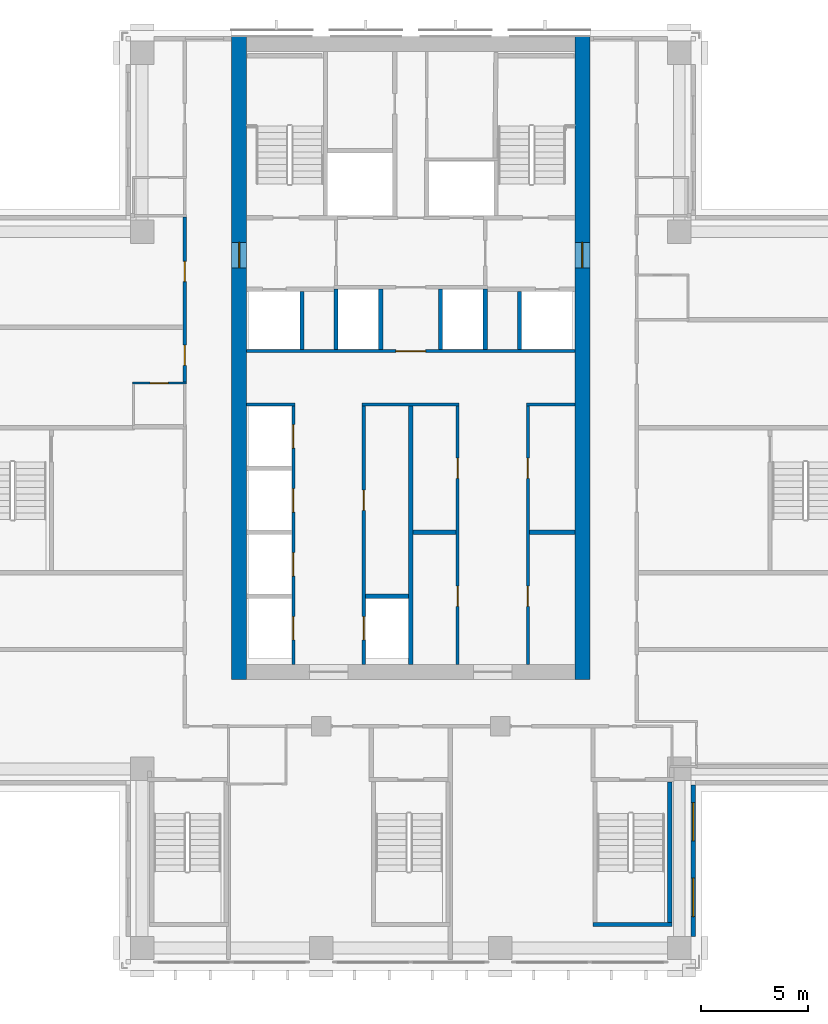
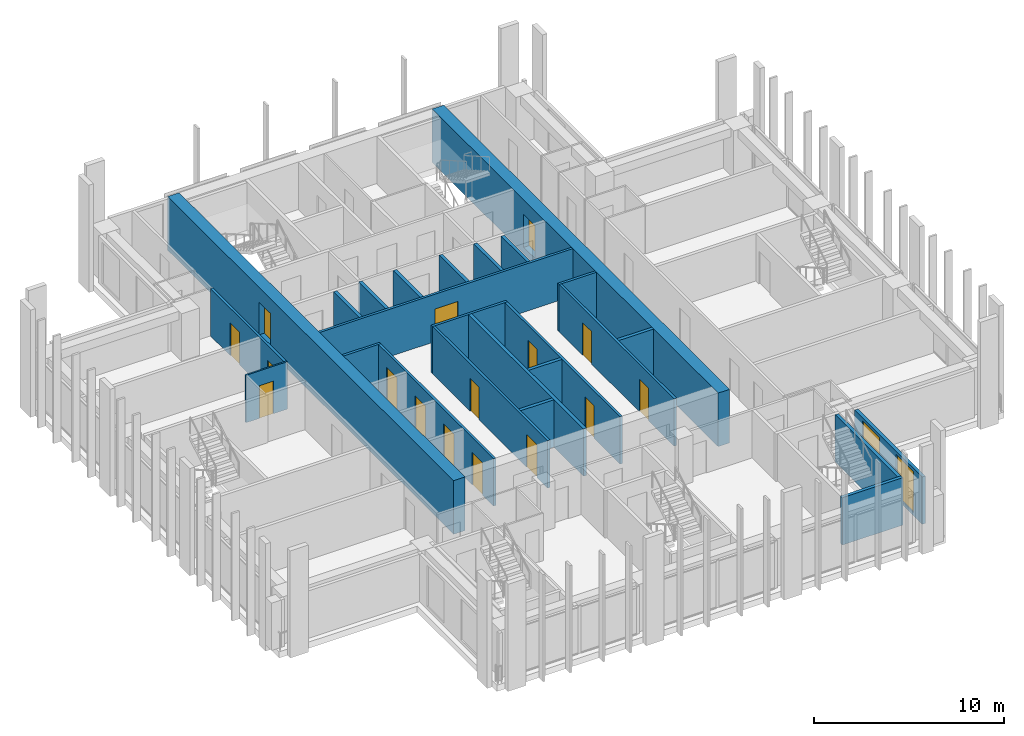
# One storey, part 10 of 16: 25 walls, 16 doors, 2 windows, 18 openings.
"""IFC4 building model written with IfcOpenShell, lengths in metres."""

from ifc_helpers import new_model, si_unit, direction, frame, frame_2d, origin, place, context, subcontext, project, spatial, rectangle, extrude, material, layer, layer_set, type_object, element, fill, save


model = new_model("IFC4")

# Units and contexts
model_context = context("Model", 3, precision=1e-05, world=origin(), true_north=direction((0.0, 1.0)))
body_context = subcontext(model_context, "Body", "Model", "MODEL_VIEW")
ifc_project = project(units=[si_unit("LENGTHUNIT", "METRE"), si_unit("AREAUNIT", "SQUARE_METRE"), si_unit("VOLUMEUNIT", "CUBIC_METRE"), si_unit("PLANEANGLEUNIT", "RADIAN"), si_unit("MASSUNIT", "GRAM", prefix="KILO")], contexts=[model_context])

# Site, building, storey
site_placement = place(None, origin())
site = spatial("IfcSite", under=ifc_project, at=site_placement, CompositionType="ELEMENT")
building_placement = place(site_placement, origin())
building = spatial("IfcBuilding", under=site, at=building_placement, Name="Vermilion Ogive Tower", CompositionType="ELEMENT")
storey_placement = place(building_placement, frame((0.0, 0.0, 143.449951171875)))
storey = spatial("IfcBuildingStorey", under=building, at=storey_placement, Name="L36", CompositionType="ELEMENT", Elevation=143.449951171875)

# Wall, opening, door
ifc_material_1 = material(Name="Gypsum board partition on steel studs", Category="steel")
ifc_layer_1 = layer(ifc_material_1, 0.10009765625)
ifc_layer_set_1 = layer_set([ifc_layer_1], Name="Partition 100 bath")
wall_type_1 = type_object("IfcWallType", Name="Partition 100 bath", PredefinedType="PARTITIONING", material=ifc_layer_set_1)
wall_1_placement = place(storey_placement, frame((-13.048095703125, 5.5, 0.0), z_axis=(0.0, 0.0, 1.0), x_axis=(1.0, 0.0, 0.0)))
wall_1 = element("IfcWall", 1, at=wall_1_placement, inside=storey, type_object=wall_type_1, Name="L36-W-W022", PredefinedType="PARTITIONING", context=body_context, shape_type="SweptSolid", body=[
    extrude(rectangle(XDim=2.523193359375, YDim=0.10009765625, at=frame_2d((1.26171875, 0.0))), origin(), (0.0, 0.0, 1.0), 3.050048828125),
])
opening_1_placement = place(wall_1_placement, frame((0.822998046875, 0.0, 0.0)))
opening_1 = element("IfcOpeningElement", 2, at=opening_1_placement, cuts=wall_1, Name="Opening D3G2003", PredefinedType="OPENING", context=body_context, shape_type="SweptSolid", body=[
    extrude(rectangle(XDim=0.85009765625, YDim=2.10009765625, at=frame_2d((0.425048828125, 1.050048828125))), frame((0.0, 0.06005859375, 0.0), z_axis=(0.0, -1.0, 0.0), x_axis=(1.0, 0.0, 0.0)), (0.0, 0.0, 1.0), 0.1201171875),
])
ifc_material_2 = material(Name="Timber door leaf", Category="wood")
door_type_1 = type_object("IfcDoorType", Name="Bath door 850 x 2100 FD30", OperationType="SINGLE_SWING_LEFT", PredefinedType="DOOR", material=ifc_material_2)
door_1_placement = place(opening_1_placement, origin())
door_1 = element("IfcDoor", 3, at=door_1_placement, inside=storey, type_object=door_type_1, Name="L36-D-D003", OperationType="SINGLE_SWING_RIGHT", OverallHeight=2.10009765625, OverallWidth=0.85009765625, PredefinedType="DOOR", context=body_context, shape_type="SweptSolid", body=[
    extrude(rectangle(XDim=0.85009765625, YDim=2.10009765625, at=frame_2d((0.425048828125, 1.050048828125))), frame((0.0, 0.02490234375, 0.0), z_axis=(0.0, -1.0, 0.0), x_axis=(1.0, 0.0, 0.0)), (0.0, 0.0, 1.0), 0.050048828125),
])
fill(opening_1, door_1)

# Wall, openings, doors
ifc_material_3 = material(Name="Gypsum board partition on steel studs", Category="steel")
ifc_layer_2 = layer(ifc_material_3, 0.14990234375)
ifc_layer_set_2 = layer_set([ifc_layer_2], Name="Partition 150 corridor")
wall_type_2 = type_object("IfcWallType", Name="Partition 150 corridor", PredefinedType="PARTITIONING", material=ifc_layer_set_2)
wall_2_placement = place(storey_placement, frame((-10.60009765625, 5.550048828125, 0.0), z_axis=(0.0, 0.0, 1.0), x_axis=(0.0, 1.0, 0.0)))
wall_2 = element("IfcWall", 4, at=wall_2_placement, inside=storey, type_object=wall_type_2, Name="L36-W-W041", PredefinedType="PARTITIONING", context=body_context, shape_type="SweptSolid", body=[
    extrude(rectangle(XDim=7.75, YDim=0.14990234375, at=frame_2d((3.875, 0.0))), origin(), (0.0, 0.0, 1.0), 3.050048828125),
])
opening_2_placement = place(wall_2_placement, frame((0.784912109375, 0.0, 0.0)))
opening_2 = element("IfcOpeningElement", 5, at=opening_2_placement, cuts=wall_2, Name="Opening D3G2002", PredefinedType="OPENING", context=body_context, shape_type="SweptSolid", body=[
    extrude(rectangle(XDim=0.949951171875, YDim=2.10009765625, at=frame_2d((0.47509765625, 1.050048828125))), frame((0.0, 0.0849609375, 0.0), z_axis=(0.0, -1.0, 0.0), x_axis=(1.0, 0.0, 0.0)), (0.0, 0.0, 1.0), 0.169921875),
])
opening_3_placement = place(wall_2_placement, frame((4.7099609375, 0.0, 0.0)))
opening_3 = element("IfcOpeningElement", 6, at=opening_3_placement, cuts=wall_2, Name="Opening D3G2004", PredefinedType="OPENING", context=body_context, shape_type="SweptSolid", body=[
    extrude(rectangle(XDim=0.949951171875, YDim=2.10009765625, at=frame_2d((0.47509765625, 1.050048828125))), frame((0.0, 0.0849609375, 0.0), z_axis=(0.0, -1.0, 0.0), x_axis=(1.0, 0.0, 0.0)), (0.0, 0.0, 1.0), 0.169921875),
])
ifc_material_4 = material(Name="Timber door leaf", Category="wood")
door_type_2 = type_object("IfcDoorType", Name="Unit door 950 x 2100 FD30S", OperationType="SINGLE_SWING_LEFT", PredefinedType="DOOR", material=ifc_material_4)
door_2_placement = place(opening_2_placement, origin())
door_2 = element("IfcDoor", 7, at=door_2_placement, inside=storey, type_object=door_type_2, Name="L36-D-D002", OperationType="SINGLE_SWING_LEFT", OverallHeight=2.10009765625, OverallWidth=0.949951171875, PredefinedType="DOOR", context=body_context, shape_type="SweptSolid", body=[
    extrude(rectangle(XDim=0.949951171875, YDim=2.10009765625, at=frame_2d((0.47509765625, 1.050048828125))), frame((0.0, 0.02490234375, 0.0), z_axis=(0.0, -1.0, 0.0), x_axis=(1.0, 0.0, 0.0)), (0.0, 0.0, 1.0), 0.050048828125),
])
fill(opening_2, door_2)
door_3_placement = place(opening_3_placement, origin())
door_3 = element("IfcDoor", 8, at=door_3_placement, inside=storey, type_object=door_type_2, Name="L36-D-D004", OperationType="SINGLE_SWING_RIGHT", OverallHeight=2.10009765625, OverallWidth=0.949951171875, PredefinedType="DOOR", context=body_context, shape_type="SweptSolid", body=[
    extrude(rectangle(XDim=0.949951171875, YDim=2.10009765625, at=frame_2d((0.47509765625, 1.050048828125))), frame((0.0, 0.02490234375, 0.0), z_axis=(0.0, -1.0, 0.0), x_axis=(1.0, 0.0, 0.0)), (0.0, 0.0, 1.0), 0.050048828125),
])
fill(opening_3, door_3)

# Walls
wall_3_placement = place(storey_placement, frame((-7.698974609375, 4.5, 0.0), z_axis=(0.0, 0.0, 1.0), x_axis=(1.0, 0.0, 0.0)))
element("IfcWall", 9, at=wall_3_placement, inside=storey, type_object=wall_type_2, Name="L36-CK-W-W007", PredefinedType="PARTITIONING", context=body_context, shape_type="SweptSolid", body=[
    extrude(rectangle(XDim=2.27392578125, YDim=0.14990234375, at=frame_2d((1.136962890625, 0.0))), origin(), (0.0, 0.0, 1.0), 3.050048828125),
])
wall_4_placement = place(storey_placement, frame((-2.27490234375, 4.5, 0.0), z_axis=(0.0, 0.0, 1.0), x_axis=(1.0, 0.0, 0.0)))
element("IfcWall", 10, at=wall_4_placement, inside=storey, type_object=wall_type_2, Name="L36-CK-W-W008", PredefinedType="PARTITIONING", context=body_context, shape_type="SweptSolid", body=[
    extrude(rectangle(XDim=4.5498046875, YDim=0.14990234375, at=frame_2d((2.27490234375, 0.0))), origin(), (0.0, 0.0, 1.0), 3.050048828125),
])
wall_5_placement = place(storey_placement, frame((5.425048828125, 4.5, 0.0), z_axis=(0.0, 0.0, 1.0), x_axis=(1.0, 0.0, 0.0)))
element("IfcWall", 11, at=wall_5_placement, inside=storey, type_object=wall_type_2, Name="L36-CK-W-W009", PredefinedType="PARTITIONING", context=body_context, shape_type="SweptSolid", body=[
    extrude(rectangle(XDim=2.27392578125, YDim=0.14990234375, at=frame_2d((1.136962890625, 0.0))), origin(), (0.0, 0.0, 1.0), 3.050048828125),
])

# Wall, opening, door
wall_6_placement = place(storey_placement, frame((-7.698974609375, 7.0, 0.0), z_axis=(0.0, 0.0, 1.0), x_axis=(1.0, 0.0, 0.0)))
wall_6 = element("IfcWall", 12, at=wall_6_placement, inside=storey, type_object=wall_type_2, Name="L36-CK-W-W010", PredefinedType="PARTITIONING", context=body_context, shape_type="SweptSolid", body=[
    extrude(rectangle(XDim=15.39794921875, YDim=0.14990234375, at=frame_2d((7.698974609375, 0.0))), origin(), (0.0, 0.0, 1.0), 3.050048828125),
])
opening_4_placement = place(wall_6_placement, frame((6.9990234375, 0.0, 0.0)))
opening_4 = element("IfcOpeningElement", 13, at=opening_4_placement, cuts=wall_6, Name="Opening DAA302", PredefinedType="OPENING", context=body_context, shape_type="SweptSolid", body=[
    extrude(rectangle(XDim=1.39990234375, YDim=2.10009765625, at=frame_2d((0.699951171875, 1.050048828125))), frame((0.0, 0.0849609375, 0.0), z_axis=(0.0, -1.0, 0.0), x_axis=(1.0, 0.0, 0.0)), (0.0, 0.0, 1.0), 0.169921875),
])
ifc_material_5 = material(Name="Timber door leaf", Category="wood")
door_type_3 = type_object("IfcDoorType", Name="Lobby door 1400 x 2100 FD60S", OperationType="SINGLE_SWING_LEFT", PredefinedType="DOOR", material=ifc_material_5)
door_4_placement = place(opening_4_placement, origin())
door_4 = element("IfcDoor", 14, at=door_4_placement, inside=storey, type_object=door_type_3, Name="L36-CK-D-D015", OperationType="SINGLE_SWING_RIGHT", OverallHeight=2.10009765625, OverallWidth=1.39990234375, PredefinedType="DOOR", context=body_context, shape_type="SweptSolid", body=[
    extrude(rectangle(XDim=1.39990234375, YDim=2.10009765625, at=frame_2d((0.699951171875, 1.050048828125))), frame((0.0, 0.02490234375, 0.0), z_axis=(0.0, -1.0, 0.0), x_axis=(1.0, 0.0, 0.0)), (0.0, 0.0, 1.0), 0.050048828125),
])
fill(opening_4, door_4)

# Wall, openings, doors
wall_7_placement = place(storey_placement, frame((-5.5, -7.698974609375, 0.0), z_axis=(0.0, 0.0, 1.0), x_axis=(0.0, 1.0, 0.0)))
wall_7 = element("IfcWall", 15, at=wall_7_placement, inside=storey, type_object=wall_type_2, Name="L36-CK-W-W019", PredefinedType="PARTITIONING", context=body_context, shape_type="SweptSolid", body=[
    extrude(rectangle(XDim=12.1240234375, YDim=0.14990234375, at=frame_2d((6.06201171875, 0.0))), origin(), (0.0, 0.0, 1.0), 3.050048828125),
])
opening_5_placement = place(wall_7_placement, frame((1.14892578125, 0.0, 0.0)))
opening_5 = element("IfcOpeningElement", 16, at=opening_5_placement, cuts=wall_7, Name="Opening DAA314", PredefinedType="OPENING", context=body_context, shape_type="SweptSolid", body=[
    extrude(rectangle(XDim=1.10009765625, YDim=2.10009765625, at=frame_2d((0.550048828125, 1.050048828125))), frame((0.0, 0.0849609375, 0.0), z_axis=(0.0, -1.0, 0.0), x_axis=(1.0, 0.0, 0.0)), (0.0, 0.0, 1.0), 0.169921875),
])
opening_6_placement = place(wall_7_placement, frame((4.14892578125, 0.0, 0.0)))
opening_6 = element("IfcOpeningElement", 17, at=opening_6_placement, cuts=wall_7, Name="Opening DAA315", PredefinedType="OPENING", context=body_context, shape_type="SweptSolid", body=[
    extrude(rectangle(XDim=1.10009765625, YDim=2.10009765625, at=frame_2d((0.550048828125, 1.050048828125))), frame((0.0, 0.0849609375, 0.0), z_axis=(0.0, -1.0, 0.0), x_axis=(1.0, 0.0, 0.0)), (0.0, 0.0, 1.0), 0.169921875),
])
opening_7_placement = place(wall_7_placement, frame((7.14892578125, 0.0, 0.0)))
opening_7 = element("IfcOpeningElement", 18, at=opening_7_placement, cuts=wall_7, Name="Opening DAA316", PredefinedType="OPENING", context=body_context, shape_type="SweptSolid", body=[
    extrude(rectangle(XDim=1.10009765625, YDim=2.10009765625, at=frame_2d((0.550048828125, 1.050048828125))), frame((0.0, 0.0849609375, 0.0), z_axis=(0.0, -1.0, 0.0), x_axis=(1.0, 0.0, 0.0)), (0.0, 0.0, 1.0), 0.169921875),
])
opening_8_placement = place(wall_7_placement, frame((10.14892578125, 0.0, 0.0)))
opening_8 = element("IfcOpeningElement", 19, at=opening_8_placement, cuts=wall_7, Name="Opening DAA317", PredefinedType="OPENING", context=body_context, shape_type="SweptSolid", body=[
    extrude(rectangle(XDim=1.10009765625, YDim=2.10009765625, at=frame_2d((0.550048828125, 1.050048828125))), frame((0.0, 0.0849609375, 0.0), z_axis=(0.0, -1.0, 0.0), x_axis=(1.0, 0.0, 0.0)), (0.0, 0.0, 1.0), 0.169921875),
])
ifc_material_6 = material(Name="Stainless steel", Category="steel")
door_type_4 = type_object("IfcDoorType", Name="Lift landing door 1100 x 2100", OperationType="SLIDING_TO_LEFT", PredefinedType="DOOR", material=ifc_material_6)
door_5_placement = place(opening_5_placement, origin())
door_5 = element("IfcDoor", 20, at=door_5_placement, inside=storey, type_object=door_type_4, Name="L36-CK-D-D001", OperationType="SLIDING_TO_LEFT", OverallHeight=2.10009765625, OverallWidth=1.10009765625, PredefinedType="DOOR", context=body_context, shape_type="SweptSolid", body=[
    extrude(rectangle(XDim=1.10009765625, YDim=2.10009765625, at=frame_2d((0.550048828125, 1.050048828125))), frame((0.0, 0.02490234375, 0.0), z_axis=(0.0, -1.0, 0.0), x_axis=(1.0, 0.0, 0.0)), (0.0, 0.0, 1.0), 0.050048828125),
])
fill(opening_5, door_5)
door_6_placement = place(opening_6_placement, origin())
door_6 = element("IfcDoor", 21, at=door_6_placement, inside=storey, type_object=door_type_4, Name="L36-CK-D-D002", OperationType="SLIDING_TO_LEFT", OverallHeight=2.10009765625, OverallWidth=1.10009765625, PredefinedType="DOOR", context=body_context, shape_type="SweptSolid", body=[
    extrude(rectangle(XDim=1.10009765625, YDim=2.10009765625, at=frame_2d((0.550048828125, 1.050048828125))), frame((0.0, 0.02490234375, 0.0), z_axis=(0.0, -1.0, 0.0), x_axis=(1.0, 0.0, 0.0)), (0.0, 0.0, 1.0), 0.050048828125),
])
fill(opening_6, door_6)
door_7_placement = place(opening_7_placement, origin())
door_7 = element("IfcDoor", 22, at=door_7_placement, inside=storey, type_object=door_type_4, Name="L36-CK-D-D003", OperationType="SLIDING_TO_LEFT", OverallHeight=2.10009765625, OverallWidth=1.10009765625, PredefinedType="DOOR", context=body_context, shape_type="SweptSolid", body=[
    extrude(rectangle(XDim=1.10009765625, YDim=2.10009765625, at=frame_2d((0.550048828125, 1.050048828125))), frame((0.0, 0.02490234375, 0.0), z_axis=(0.0, -1.0, 0.0), x_axis=(1.0, 0.0, 0.0)), (0.0, 0.0, 1.0), 0.050048828125),
])
fill(opening_7, door_7)
door_8_placement = place(opening_8_placement, origin())
door_8 = element("IfcDoor", 23, at=door_8_placement, inside=storey, type_object=door_type_4, Name="L36-CK-D-D004", OperationType="SLIDING_TO_LEFT", OverallHeight=2.10009765625, OverallWidth=1.10009765625, PredefinedType="DOOR", context=body_context, shape_type="SweptSolid", body=[
    extrude(rectangle(XDim=1.10009765625, YDim=2.10009765625, at=frame_2d((0.550048828125, 1.050048828125))), frame((0.0, 0.02490234375, 0.0), z_axis=(0.0, -1.0, 0.0), x_axis=(1.0, 0.0, 0.0)), (0.0, 0.0, 1.0), 0.050048828125),
])
fill(opening_8, door_8)

wall_8_placement = place(storey_placement, frame((-2.199951171875, -7.698974609375, 0.0), z_axis=(0.0, 0.0, 1.0), x_axis=(0.0, 1.0, 0.0)))
wall_8 = element("IfcWall", 24, at=wall_8_placement, inside=storey, type_object=wall_type_2, Name="L36-CK-W-W024", PredefinedType="PARTITIONING", context=body_context, shape_type="SweptSolid", body=[
    extrude(rectangle(XDim=12.1240234375, YDim=0.14990234375, at=frame_2d((6.06201171875, 0.0))), origin(), (0.0, 0.0, 1.0), 3.050048828125),
])
opening_9_placement = place(wall_8_placement, frame((1.14892578125, 0.0, 0.0)))
opening_9 = element("IfcOpeningElement", 25, at=opening_9_placement, cuts=wall_8, Name="Opening DAA318", PredefinedType="OPENING", context=body_context, shape_type="SweptSolid", body=[
    extrude(rectangle(XDim=1.10009765625, YDim=2.10009765625, at=frame_2d((0.550048828125, 1.050048828125))), frame((0.0, 0.0849609375, 0.0), z_axis=(0.0, -1.0, 0.0), x_axis=(1.0, 0.0, 0.0)), (0.0, 0.0, 1.0), 0.169921875),
])
opening_10_placement = place(wall_8_placement, frame((7.223876953125, 0.0, 0.0)))
opening_10 = element("IfcOpeningElement", 26, at=opening_10_placement, cuts=wall_8, Name="Opening DAA305", PredefinedType="OPENING", context=body_context, shape_type="SweptSolid", body=[
    extrude(rectangle(XDim=0.949951171875, YDim=2.10009765625, at=frame_2d((0.47509765625, 1.050048828125))), frame((0.0, 0.0849609375, 0.0), z_axis=(0.0, -1.0, 0.0), x_axis=(1.0, 0.0, 0.0)), (0.0, 0.0, 1.0), 0.169921875),
])
door_9_placement = place(opening_9_placement, origin())
door_9 = element("IfcDoor", 27, at=door_9_placement, inside=storey, type_object=door_type_4, Name="L36-CK-D-D005", OperationType="SLIDING_TO_LEFT", OverallHeight=2.10009765625, OverallWidth=1.10009765625, PredefinedType="DOOR", context=body_context, shape_type="SweptSolid", body=[
    extrude(rectangle(XDim=1.10009765625, YDim=2.10009765625, at=frame_2d((0.550048828125, 1.050048828125))), frame((0.0, 0.02490234375, 0.0), z_axis=(0.0, -1.0, 0.0), x_axis=(1.0, 0.0, 0.0)), (0.0, 0.0, 1.0), 0.050048828125),
])
fill(opening_9, door_9)
ifc_material_7 = material(Name="Timber door leaf", Category="wood")
door_type_5 = type_object("IfcDoorType", Name="Service door 950 x 2100 FD60", OperationType="SINGLE_SWING_LEFT", PredefinedType="DOOR", material=ifc_material_7)
door_10_placement = place(opening_10_placement, origin())
door_10 = element("IfcDoor", 28, at=door_10_placement, inside=storey, type_object=door_type_5, Name="L36-CK-D-D006", OperationType="SINGLE_SWING_RIGHT", OverallHeight=2.10009765625, OverallWidth=0.949951171875, PredefinedType="DOOR", context=body_context, shape_type="SweptSolid", body=[
    extrude(rectangle(XDim=0.949951171875, YDim=2.10009765625, at=frame_2d((0.47509765625, 1.050048828125))), frame((0.0, 0.02490234375, 0.0), z_axis=(0.0, -1.0, 0.0), x_axis=(1.0, 0.0, 0.0)), (0.0, 0.0, 1.0), 0.050048828125),
])
fill(opening_10, door_10)

wall_9_placement = place(storey_placement, frame((2.199951171875, -7.698974609375, 0.0), z_axis=(0.0, 0.0, 1.0), x_axis=(0.0, 1.0, 0.0)))
wall_9 = element("IfcWall", 29, at=wall_9_placement, inside=storey, type_object=wall_type_2, Name="L36-CK-W-W031", PredefinedType="PARTITIONING", context=body_context, shape_type="SweptSolid", body=[
    extrude(rectangle(XDim=12.1240234375, YDim=0.14990234375, at=frame_2d((6.06201171875, 0.0))), origin(), (0.0, 0.0, 1.0), 3.050048828125),
])
opening_11_placement = place(wall_9_placement, frame((2.723876953125, 0.0, 0.0)))
opening_11 = element("IfcOpeningElement", 30, at=opening_11_placement, cuts=wall_9, Name="Opening DAA306", PredefinedType="OPENING", context=body_context, shape_type="SweptSolid", body=[
    extrude(rectangle(XDim=0.949951171875, YDim=2.10009765625, at=frame_2d((0.47509765625, 1.050048828125))), frame((0.0, 0.0849609375, 0.0), z_axis=(0.0, -1.0, 0.0), x_axis=(1.0, 0.0, 0.0)), (0.0, 0.0, 1.0), 0.169921875),
])
opening_12_placement = place(wall_9_placement, frame((8.723876953125, 0.0, 0.0)))
opening_12 = element("IfcOpeningElement", 31, at=opening_12_placement, cuts=wall_9, Name="Opening DAA307", PredefinedType="OPENING", context=body_context, shape_type="SweptSolid", body=[
    extrude(rectangle(XDim=0.949951171875, YDim=2.10009765625, at=frame_2d((0.47509765625, 1.050048828125))), frame((0.0, 0.0849609375, 0.0), z_axis=(0.0, -1.0, 0.0), x_axis=(1.0, 0.0, 0.0)), (0.0, 0.0, 1.0), 0.169921875),
])
door_11_placement = place(opening_11_placement, origin())
door_11 = element("IfcDoor", 32, at=door_11_placement, inside=storey, type_object=door_type_5, Name="L36-CK-D-D007", OperationType="SINGLE_SWING_RIGHT", OverallHeight=2.10009765625, OverallWidth=0.949951171875, PredefinedType="DOOR", context=body_context, shape_type="SweptSolid", body=[
    extrude(rectangle(XDim=0.949951171875, YDim=2.10009765625, at=frame_2d((0.47509765625, 1.050048828125))), frame((0.0, 0.02490234375, 0.0), z_axis=(0.0, -1.0, 0.0), x_axis=(1.0, 0.0, 0.0)), (0.0, 0.0, 1.0), 0.050048828125),
])
fill(opening_11, door_11)
door_12_placement = place(opening_12_placement, origin())
door_12 = element("IfcDoor", 33, at=door_12_placement, inside=storey, type_object=door_type_5, Name="L36-CK-D-D008", OperationType="SINGLE_SWING_RIGHT", OverallHeight=2.10009765625, OverallWidth=0.949951171875, PredefinedType="DOOR", context=body_context, shape_type="SweptSolid", body=[
    extrude(rectangle(XDim=0.949951171875, YDim=2.10009765625, at=frame_2d((0.47509765625, 1.050048828125))), frame((0.0, 0.02490234375, 0.0), z_axis=(0.0, -1.0, 0.0), x_axis=(1.0, 0.0, 0.0)), (0.0, 0.0, 1.0), 0.050048828125),
])
fill(opening_12, door_12)

wall_10_placement = place(storey_placement, frame((5.5, -7.698974609375, 0.0), z_axis=(0.0, 0.0, 1.0), x_axis=(0.0, 1.0, 0.0)))
wall_10 = element("IfcWall", 34, at=wall_10_placement, inside=storey, type_object=wall_type_2, Name="L36-CK-W-W037", PredefinedType="PARTITIONING", context=body_context, shape_type="SweptSolid", body=[
    extrude(rectangle(XDim=12.1240234375, YDim=0.14990234375, at=frame_2d((6.06201171875, 0.0))), origin(), (0.0, 0.0, 1.0), 3.050048828125),
])
opening_13_placement = place(wall_10_placement, frame((2.723876953125, 0.0, 0.0)))
opening_13 = element("IfcOpeningElement", 35, at=opening_13_placement, cuts=wall_10, Name="Opening DAA308", PredefinedType="OPENING", context=body_context, shape_type="SweptSolid", body=[
    extrude(rectangle(XDim=0.949951171875, YDim=2.10009765625, at=frame_2d((0.47509765625, 1.050048828125))), frame((0.0, 0.0849609375, 0.0), z_axis=(0.0, -1.0, 0.0), x_axis=(1.0, 0.0, 0.0)), (0.0, 0.0, 1.0), 0.169921875),
])
opening_14_placement = place(wall_10_placement, frame((8.723876953125, 0.0, 0.0)))
opening_14 = element("IfcOpeningElement", 36, at=opening_14_placement, cuts=wall_10, Name="Opening DAA309", PredefinedType="OPENING", context=body_context, shape_type="SweptSolid", body=[
    extrude(rectangle(XDim=0.949951171875, YDim=2.10009765625, at=frame_2d((0.47509765625, 1.050048828125))), frame((0.0, 0.0849609375, 0.0), z_axis=(0.0, -1.0, 0.0), x_axis=(1.0, 0.0, 0.0)), (0.0, 0.0, 1.0), 0.169921875),
])
door_13_placement = place(opening_13_placement, origin())
door_13 = element("IfcDoor", 37, at=door_13_placement, inside=storey, type_object=door_type_5, Name="L36-CK-D-D009", OperationType="SINGLE_SWING_LEFT", OverallHeight=2.10009765625, OverallWidth=0.949951171875, PredefinedType="DOOR", context=body_context, shape_type="SweptSolid", body=[
    extrude(rectangle(XDim=0.949951171875, YDim=2.10009765625, at=frame_2d((0.47509765625, 1.050048828125))), frame((0.0, 0.02490234375, 0.0), z_axis=(0.0, -1.0, 0.0), x_axis=(1.0, 0.0, 0.0)), (0.0, 0.0, 1.0), 0.050048828125),
])
fill(opening_13, door_13)
door_14_placement = place(opening_14_placement, origin())
door_14 = element("IfcDoor", 38, at=door_14_placement, inside=storey, type_object=door_type_5, Name="L36-CK-D-D010", OperationType="SINGLE_SWING_LEFT", OverallHeight=2.10009765625, OverallWidth=0.949951171875, PredefinedType="DOOR", context=body_context, shape_type="SweptSolid", body=[
    extrude(rectangle(XDim=0.949951171875, YDim=2.10009765625, at=frame_2d((0.47509765625, 1.050048828125))), frame((0.0, 0.02490234375, 0.0), z_axis=(0.0, -1.0, 0.0), x_axis=(1.0, 0.0, 0.0)), (0.0, 0.0, 1.0), 0.050048828125),
])
fill(opening_14, door_14)

# Walls
ifc_material_8 = material(Name="Gypsum board partition on steel studs", Category="steel")
ifc_layer_3 = layer(ifc_material_8, 0.199951171875)
ifc_layer_set_3 = layer_set([ifc_layer_3], Name="Partition 200 party")
wall_type_3 = type_object("IfcWallType", Name="Partition 200 party", PredefinedType="PARTITIONING", material=ifc_layer_set_3)
for number, where, z_axis, x_axis, name in (
    (39, (-2.125, -4.5, 0.0), (0.0, 0.0, 1.0), (1.0, 0.0, 0.0), "L36-CK-W-W002"),
    (40, (0.10009765625, -1.5, 0.0), (0.0, 0.0, 1.0), (1.0, 0.0, 0.0), "L36-CK-W-W004"),
):
    element("IfcWall", number, at=place(storey_placement, frame(where, z_axis=z_axis, x_axis=x_axis)), inside=storey, type_object=wall_type_3, Name=name, PredefinedType="PARTITIONING", context=body_context, shape_type="SweptSolid", body=[
        extrude(rectangle(XDim=2.02490234375, YDim=0.199951171875, at=frame_2d((1.012451171875, 0.0))), origin(), (0.0, 0.0, 1.0), 3.050048828125),
    ])
wall_11_placement = place(storey_placement, frame((5.574951171875, -1.5, 0.0), z_axis=(0.0, 0.0, 1.0), x_axis=(1.0, 0.0, 0.0)))
element("IfcWall", 41, at=wall_11_placement, inside=storey, type_object=wall_type_3, Name="L36-CK-W-W005", PredefinedType="PARTITIONING", context=body_context, shape_type="SweptSolid", body=[
    extrude(rectangle(XDim=2.1240234375, YDim=0.199951171875, at=frame_2d((1.06201171875, 0.0))), origin(), (0.0, 0.0, 1.0), 3.050048828125),
])
wall_12_placement = place(storey_placement, frame((-5.10009765625, 7.074951171875, 0.0), z_axis=(0.0, 0.0, 1.0), x_axis=(0.0, 1.0, 0.0)))
element("IfcWall", 42, at=wall_12_placement, inside=storey, type_object=wall_type_3, Name="L36-CK-W-W020", PredefinedType="PARTITIONING", context=body_context, shape_type="SweptSolid", body=[
    extrude(rectangle(XDim=2.72509765625, YDim=0.199951171875, at=frame_2d((1.362548828125, 0.0))), origin(), (0.0, 0.0, 1.0), 3.050048828125),
])
for number, where, z_axis, x_axis, name in (
    (43, (-3.5, 7.074951171875, 0.0), (0.0, 0.0, 1.0), (0.0, 1.0, 0.0), "L36-CK-W-W022"),
    (44, (-1.39990234375, 7.074951171875, 0.0), (0.0, 0.0, 1.0), (0.0, 1.0, 0.0), "L36-CK-W-W025"),
):
    element("IfcWall", number, at=place(storey_placement, frame(where, z_axis=z_axis, x_axis=x_axis)), inside=storey, type_object=wall_type_3, Name=name, PredefinedType="PARTITIONING", context=body_context, shape_type="SweptSolid", body=[
        extrude(rectangle(XDim=2.85009765625, YDim=0.199951171875, at=frame_2d((1.425048828125, 0.0))), origin(), (0.0, 0.0, 1.0), 3.050048828125),
    ])
wall_13_placement = place(storey_placement, frame((0.0, -7.698974609375, 0.0), z_axis=(0.0, 0.0, 1.0), x_axis=(0.0, 1.0, 0.0)))
element("IfcWall", 45, at=wall_13_placement, inside=storey, type_object=wall_type_3, Name="L36-CK-W-W027", PredefinedType="PARTITIONING", context=body_context, shape_type="SweptSolid", body=[
    extrude(rectangle(XDim=12.1240234375, YDim=0.199951171875, at=frame_2d((6.06201171875, 0.0))), origin(), (0.0, 0.0, 1.0), 3.050048828125),
])
for number, where, z_axis, x_axis, name in (
    (46, (1.39990234375, 7.074951171875, 0.0), (0.0, 0.0, 1.0), (0.0, 1.0, 0.0), "L36-CK-W-W030"),
    (47, (3.5, 7.074951171875, 0.0), (0.0, 0.0, 1.0), (0.0, 1.0, 0.0), "L36-CK-W-W032"),
):
    element("IfcWall", number, at=place(storey_placement, frame(where, z_axis=z_axis, x_axis=x_axis)), inside=storey, type_object=wall_type_3, Name=name, PredefinedType="PARTITIONING", context=body_context, shape_type="SweptSolid", body=[
        extrude(rectangle(XDim=2.85009765625, YDim=0.199951171875, at=frame_2d((1.425048828125, 0.0))), origin(), (0.0, 0.0, 1.0), 3.050048828125),
    ])
wall_14_placement = place(storey_placement, frame((5.10009765625, 7.074951171875, 0.0), z_axis=(0.0, 0.0, 1.0), x_axis=(0.0, 1.0, 0.0)))
element("IfcWall", 48, at=wall_14_placement, inside=storey, type_object=wall_type_3, Name="L36-CK-W-W036", PredefinedType="PARTITIONING", context=body_context, shape_type="SweptSolid", body=[
    extrude(rectangle(XDim=2.72509765625, YDim=0.199951171875, at=frame_2d((1.362548828125, 0.0))), origin(), (0.0, 0.0, 1.0), 3.050048828125),
])

# Wall, opening, door
ifc_material_9 = material(Name="Concrete B60", Category="concrete")
ifc_layer_4 = layer(ifc_material_9, 0.199951171875)
ifc_layer_set_4 = layer_set([ifc_layer_4], Name="Stair shaft wall 200 Concrete B60")
wall_type_4 = type_object("IfcWallType", Name="Stair shaft wall 200 Concrete B60", PredefinedType="SOLIDWALL", material=ifc_layer_set_4)
wall_15_placement = place(storey_placement, frame((8.050048828125, -8.39990234375, -0.39990234375), z_axis=(0.0, 0.0, 1.0), x_axis=(0.0, 1.0, 0.0)))
wall_15 = element("IfcWall", 49, at=wall_15_placement, inside=storey, type_object=wall_type_4, Name="L36-CORE-E", PredefinedType="SOLIDWALL", context=body_context, shape_type="SweptSolid", body=[
    extrude(rectangle(XDim=30.14990234375, YDim=0.699951171875, at=frame_2d((15.074951171875, 0.0))), origin(), (0.0, 0.0, 1.0), 3.449951171875),
])
opening_15_placement = place(wall_15_placement, frame((19.300048828125, 0.0, 0.39990234375)))
opening_15 = element("IfcOpeningElement", 50, at=opening_15_placement, cuts=wall_15, Name="Opening DAL014", PredefinedType="OPENING", context=body_context, shape_type="SweptSolid", body=[
    extrude(rectangle(XDim=1.199951171875, YDim=2.10009765625, at=frame_2d((0.60009765625, 1.050048828125))), frame((0.0, 0.35986328125, 0.0), z_axis=(0.0, -1.0, 0.0), x_axis=(1.0, 0.0, 0.0)), (0.0, 0.0, 1.0), 0.719970703125),
])
ifc_material_10 = material(Name="Timber door leaf", Category="wood")
door_type_6 = type_object("IfcDoorType", Name="Link door 1200 x 2100 FD60S", OperationType="SINGLE_SWING_LEFT", PredefinedType="DOOR", material=ifc_material_10)
door_15_placement = place(opening_15_placement, origin())
door_15 = element("IfcDoor", 51, at=door_15_placement, inside=storey, type_object=door_type_6, Name="L36-CK-XD4", OperationType="SINGLE_SWING_LEFT", OverallHeight=2.10009765625, OverallWidth=1.199951171875, PredefinedType="DOOR", context=body_context, shape_type="SweptSolid", body=[
    extrude(rectangle(XDim=1.199951171875, YDim=2.10009765625, at=frame_2d((0.60009765625, 1.050048828125))), frame((0.0, 0.02490234375, 0.0), z_axis=(0.0, -1.0, 0.0), x_axis=(1.0, 0.0, 0.0)), (0.0, 0.0, 1.0), 0.050048828125),
])
fill(opening_15, door_15)

wall_16_placement = place(storey_placement, frame((-8.050048828125, -8.39990234375, -0.39990234375), z_axis=(0.0, 0.0, 1.0), x_axis=(0.0, 1.0, 0.0)))
wall_16 = element("IfcWall", 52, at=wall_16_placement, inside=storey, type_object=wall_type_4, Name="L36-CORE-W", PredefinedType="SOLIDWALL", context=body_context, shape_type="SweptSolid", body=[
    extrude(rectangle(XDim=30.14990234375, YDim=0.699951171875, at=frame_2d((15.074951171875, 0.0))), origin(), (0.0, 0.0, 1.0), 3.449951171875),
])
opening_16_placement = place(wall_16_placement, frame((19.300048828125, 0.0, 0.39990234375)))
opening_16 = element("IfcOpeningElement", 53, at=opening_16_placement, cuts=wall_16, Name="Opening DAM014", PredefinedType="OPENING", context=body_context, shape_type="SweptSolid", body=[
    extrude(rectangle(XDim=1.199951171875, YDim=2.10009765625, at=frame_2d((0.60009765625, 1.050048828125))), frame((0.0, 0.35986328125, 0.0), z_axis=(0.0, -1.0, 0.0), x_axis=(1.0, 0.0, 0.0)), (0.0, 0.0, 1.0), 0.719970703125),
])
door_16_placement = place(opening_16_placement, origin())
door_16 = element("IfcDoor", 54, at=door_16_placement, inside=storey, type_object=door_type_6, Name="L36-CK-XD3", OperationType="SINGLE_SWING_LEFT", OverallHeight=2.10009765625, OverallWidth=1.199951171875, PredefinedType="DOOR", context=body_context, shape_type="SweptSolid", body=[
    extrude(rectangle(XDim=1.199951171875, YDim=2.10009765625, at=frame_2d((0.60009765625, 1.050048828125))), frame((0.0, 0.02490234375, 0.0), z_axis=(0.0, -1.0, 0.0), x_axis=(1.0, 0.0, 0.0)), (0.0, 0.0, 1.0), 0.050048828125),
])
fill(opening_16, door_16)

# Walls
wall_17_placement = place(storey_placement, frame((12.14990234375, -19.798095703125, 0.0), z_axis=(0.0, 0.0, 1.0), x_axis=(0.0, 1.0, 0.0)))
element("IfcWall", 55, at=wall_17_placement, inside=storey, type_object=wall_type_4, Name="L36-W-W059", PredefinedType="SOLIDWALL", context=body_context, shape_type="SweptSolid", body=[
    extrude(rectangle(XDim=6.59619140625, YDim=0.199951171875, at=frame_2d((3.298095703125, 0.0))), origin(), (0.0, 0.0, 1.0), 3.050048828125),
])
wall_18_placement = place(storey_placement, frame((8.552001953125, -19.89990234375, 0.0), z_axis=(0.0, 0.0, 1.0), x_axis=(1.0, 0.0, 0.0)))
element("IfcWall", 56, at=wall_18_placement, inside=storey, type_object=wall_type_4, Name="L36-W-W003-A", PredefinedType="SOLIDWALL", context=body_context, shape_type="SweptSolid", body=[
    extrude(rectangle(XDim=3.696044921875, YDim=0.199951171875, at=frame_2d((1.84814453125, 0.0))), origin(), (0.0, 0.0, 1.0), 3.050048828125),
])

# Wall, openings, windows
ifc_material_11 = material(Name="Aluminium window wall framing", Category="aluminium")
ifc_layer_5 = layer(ifc_material_11, 0.199951171875)
ifc_layer_set_5 = layer_set([ifc_layer_5], Name="Window wall")
wall_type_5 = type_object("IfcWallType", Name="Window wall", PredefinedType="STANDARD", material=ifc_layer_set_5)
wall_19_placement = place(storey_placement, frame((13.25, -20.449951171875, 0.0), z_axis=(0.0, 0.0, 1.0), x_axis=(0.0, 1.0, 0.0)))
wall_19 = element("IfcWall", 57, at=wall_19_placement, inside=storey, type_object=wall_type_5, Name="Window wall X11", PredefinedType="STANDARD", context=body_context, shape_type="SweptSolid", body=[
    extrude(rectangle(XDim=7.099853515625, YDim=0.199951171875, at=frame_2d((3.5498046875, 0.0))), origin(), (0.0, 0.0, 1.0), 3.050048828125),
])
opening_17_placement = place(wall_19_placement, frame((0.925048828125, 0.0, 0.199951171875)))
opening_17 = element("IfcOpeningElement", 58, at=opening_17_placement, cuts=wall_19, Name="Opening W1-X195", PredefinedType="OPENING", context=body_context, shape_type="SweptSolid", body=[
    extrude(rectangle(XDim=1.800048828125, YDim=2.64990234375, at=frame_2d((0.89990234375, 1.324951171875))), frame((0.0, 0.10986328125, 0.0), z_axis=(0.0, -1.0, 0.0), x_axis=(1.0, 0.0, 0.0)), (0.0, 0.0, 1.0), 0.219970703125),
])
opening_18_placement = place(wall_19_placement, frame((4.47509765625, 0.0, 0.199951171875)))
opening_18 = element("IfcOpeningElement", 59, at=opening_18_placement, cuts=wall_19, Name="Opening W1-X196", PredefinedType="OPENING", context=body_context, shape_type="SweptSolid", body=[
    extrude(rectangle(XDim=1.800048828125, YDim=2.64990234375, at=frame_2d((0.89990234375, 1.324951171875))), frame((0.0, 0.10986328125, 0.0), z_axis=(0.0, -1.0, 0.0), x_axis=(1.0, 0.0, 0.0)), (0.0, 0.0, 1.0), 0.219970703125),
])
ifc_material_12 = material(Name="Aluminium framed double glazing", Category="aluminium")
window_type = type_object("IfcWindowType", Name="Guest window W1", PartitioningType="SINGLE_PANEL", PredefinedType="WINDOW", material=ifc_material_12)
window_1_placement = place(opening_17_placement, origin())
window_1 = element("IfcWindow", 60, at=window_1_placement, inside=storey, type_object=window_type, Name="Window X195", OverallHeight=2.64990234375, OverallWidth=1.800048828125, PartitioningType="SINGLE_PANEL", PredefinedType="WINDOW", context=body_context, shape_type="SweptSolid", body=[
    extrude(rectangle(XDim=1.800048828125, YDim=2.64990234375, at=frame_2d((0.89990234375, 1.324951171875))), frame((0.0, 0.030029296875, 0.0), z_axis=(0.0, -1.0, 0.0), x_axis=(1.0, 0.0, 0.0)), (0.0, 0.0, 1.0), 0.06005859375),
])
fill(opening_17, window_1)
window_2_placement = place(opening_18_placement, origin())
window_2 = element("IfcWindow", 61, at=window_2_placement, inside=storey, type_object=window_type, Name="Window X196", OverallHeight=2.64990234375, OverallWidth=1.800048828125, PartitioningType="SINGLE_PANEL", PredefinedType="WINDOW", context=body_context, shape_type="SweptSolid", body=[
    extrude(rectangle(XDim=1.800048828125, YDim=2.64990234375, at=frame_2d((0.89990234375, 1.324951171875))), frame((0.0, 0.030029296875, 0.0), z_axis=(0.0, -1.0, 0.0), x_axis=(1.0, 0.0, 0.0)), (0.0, 0.0, 1.0), 0.06005859375),
])
fill(opening_18, window_2)

save(model, "model.ifc")
